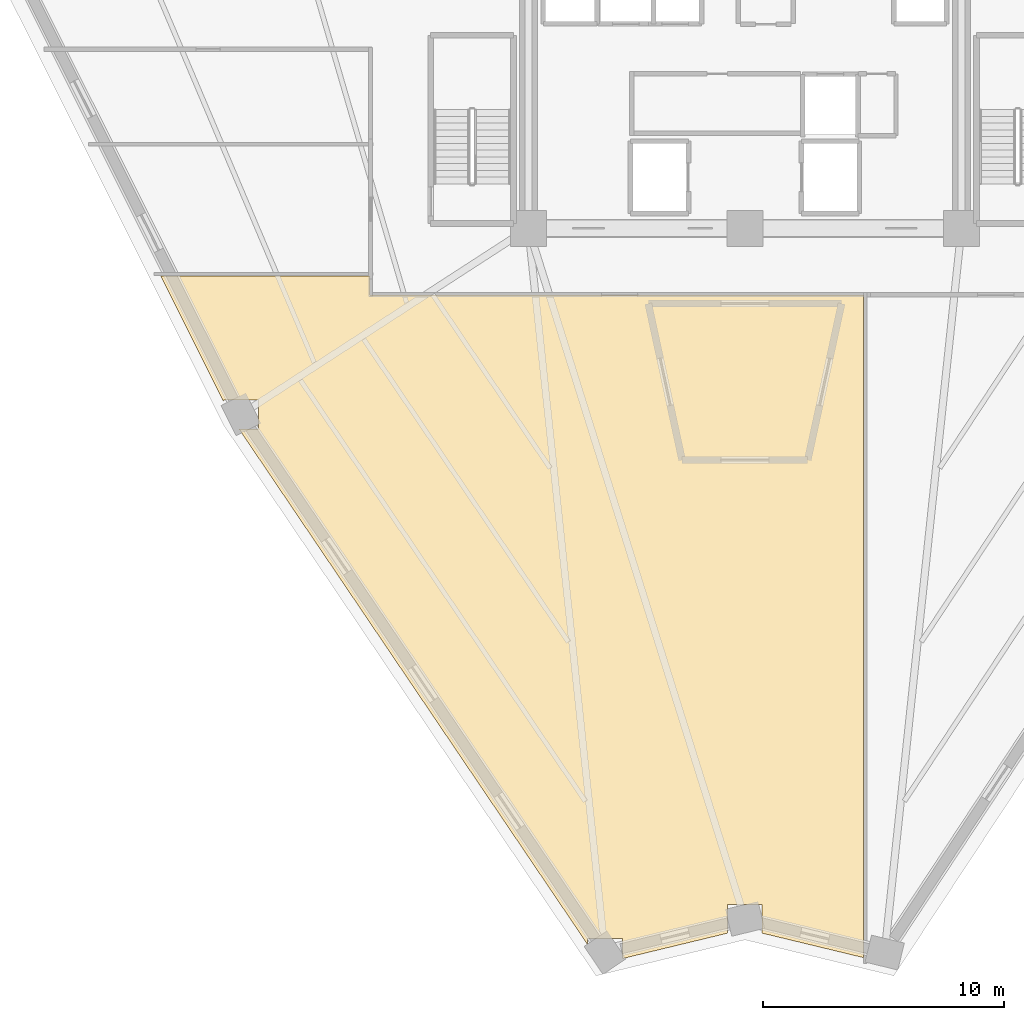
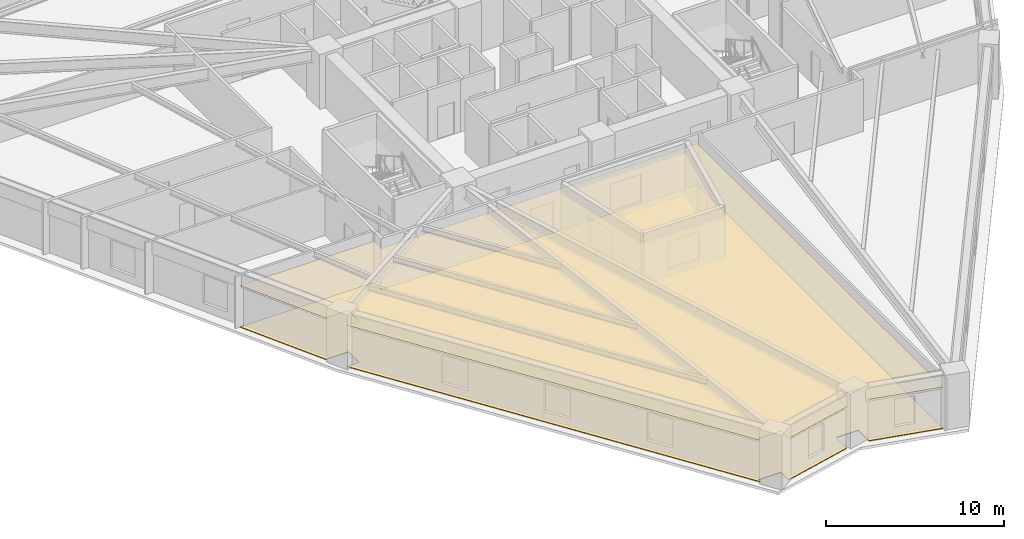
# One storey, part 8 of 9: 2 coverings.
"""IFC4 building model written with IfcOpenShell, lengths in metres."""

from ifc_helpers import new_model, si_unit, direction, frame, origin, place, context, subcontext, project, spatial, polyline, outline, extrude, material, layer, layer_set, type_object, element, save


model = new_model("IFC4")

# Units and contexts
model_context = context("Model", 3, precision=1e-05, world=origin(), true_north=direction((0.0, 1.0)))
body_context = subcontext(model_context, "Body", "Model", "MODEL_VIEW")
ifc_project = project(units=[si_unit("LENGTHUNIT", "METRE"), si_unit("AREAUNIT", "SQUARE_METRE"), si_unit("VOLUMEUNIT", "CUBIC_METRE"), si_unit("PLANEANGLEUNIT", "RADIAN"), si_unit("MASSUNIT", "GRAM", prefix="KILO")], contexts=[model_context])

# Site, building, storey
site_placement = place(None, origin())
site = spatial("IfcSite", under=ifc_project, at=site_placement, CompositionType="ELEMENT")
building_placement = place(site_placement, origin())
building = spatial("IfcBuilding", under=site, at=building_placement, Name="Liaohun Quay Tower", CompositionType="ELEMENT")
storey_placement = place(building_placement, frame((0.0, 0.0, 144.0)))
storey = spatial("IfcBuildingStorey", under=building, at=storey_placement, Name="L37", CompositionType="ELEMENT", Elevation=144.0)

# Coverings
ifc_material_1 = material(Name="Mineral-fibre acoustic ceiling tile")
ifc_layer_1 = layer(ifc_material_1, 0.02490234375, Name="Mineral-fibre acoustic ceiling tile")
ifc_layer_set_1 = layer_set([ifc_layer_1], Name="Mineral-fibre acoustic ceiling tile")
covering_type_1 = type_object("IfcCoveringType", Name="COV-CEIL-ACT", PredefinedType="CEILING", material=ifc_layer_set_1)
covering_1_placement = place(storey_placement, frame((0.0, 0.0, 2.85009765625)))
element("IfcCovering", 1, at=covering_1_placement, inside=storey, type_object=covering_type_1, Name="L37 Occupational Wellness Clinic 08 Acoustic Ceiling", PredefinedType="CEILING", context=body_context, shape_type="SweptSolid", body=[
    extrude(outline(polyline([(35.714111328125, 44.52490234375), (38.3369140625, 39.2880859375), (38.3369140625, 39.360107421875), (39.777099609375, 39.360107421875), (39.777099609375, 38.169921875), (38.965087890625, 38.169921875), (53.465087890625, 16.72998046875), (53.465087890625, 16.992919921875), (54.905029296875, 16.992919921875), (54.905029296875, 16.14990234375), (59.281005859375, 17.20703125), (59.280029296875, 18.39697265625), (60.719970703125, 18.39697265625), (60.718994140625, 17.20703125), (64.925048828125, 16.19091796875), (64.925048828125, 43.719970703125), (44.419921875, 43.719970703125), (44.419921875, 44.52490234375), (35.714111328125, 44.52490234375)])), origin(), (0.0, 0.0, 1.0), 0.02490234375),
])
ifc_material_2 = material(Name="Calcium-sulphate raised access floor tile")
ifc_layer_2 = layer(ifc_material_2, 0.044921875, Name="Calcium-sulphate raised access floor tile")
ifc_layer_set_2 = layer_set([ifc_layer_2], Name="Calcium-sulphate raised access floor tile")
covering_type_2 = type_object("IfcCoveringType", Name="COV-FLR-RAF", PredefinedType="FLOORING", material=ifc_layer_set_2)
covering_2_placement = place(storey_placement, origin())
element("IfcCovering", 2, at=covering_2_placement, inside=storey, type_object=covering_type_2, Name="L37 Occupational Wellness Clinic 08 Floor Finish", PredefinedType="FLOORING", context=body_context, shape_type="SweptSolid", body=[
    extrude(outline(polyline([(35.714111328125, 44.52490234375), (38.3369140625, 39.2880859375), (38.3369140625, 39.360107421875), (39.777099609375, 39.360107421875), (39.777099609375, 38.169921875), (38.965087890625, 38.169921875), (53.465087890625, 16.72998046875), (53.465087890625, 16.992919921875), (54.905029296875, 16.992919921875), (54.905029296875, 16.14990234375), (59.281005859375, 17.20703125), (59.280029296875, 18.39697265625), (60.719970703125, 18.39697265625), (60.718994140625, 17.20703125), (64.925048828125, 16.19091796875), (64.925048828125, 43.719970703125), (44.419921875, 43.719970703125), (44.419921875, 44.52490234375), (35.714111328125, 44.52490234375)])), origin(), (0.0, 0.0, 1.0), 0.044921875),
])

save(model, "model.ifc")
